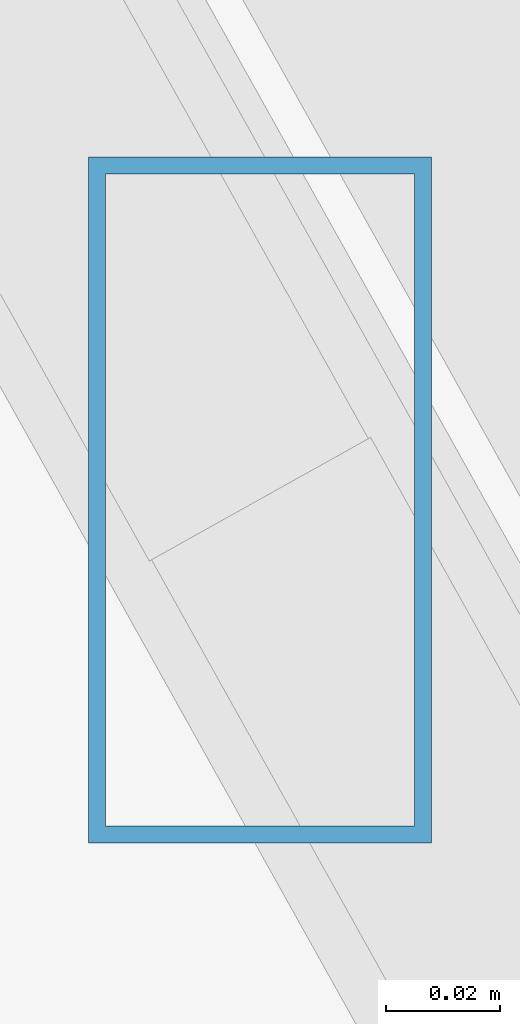
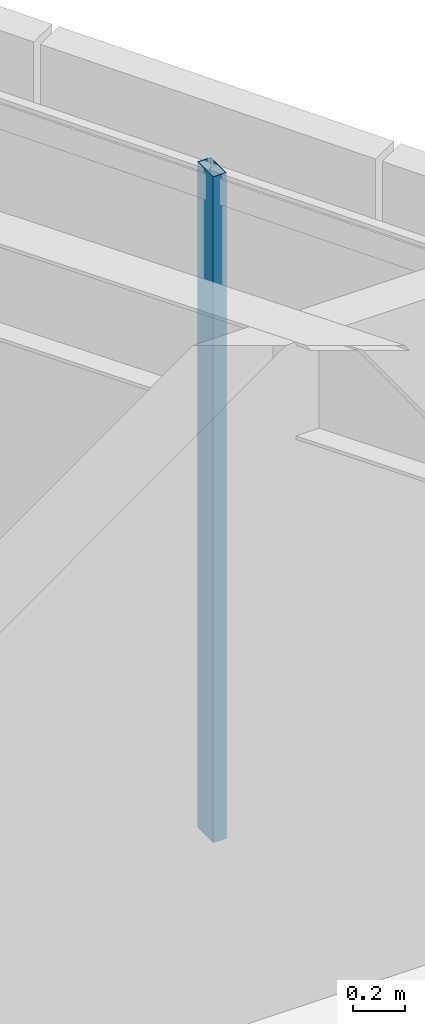
# One storey, part 27 of 48: 1 member, 1 element without a shape of its own.
"""IFC4 building model written with IfcOpenShell, lengths in metres."""

from ifc_helpers import new_model, si_unit, direction, frame, origin, origin_2d, place, context, subcontext, project, spatial, hollow_rectangle, extrude, source, transform, mapped, material, material_profile, profile_set, type_object, type_shapes, element, aggregate, save


model = new_model("IFC4")

# Units and contexts
model_context = context("Model", 3, precision=1e-05, world=origin(), true_north=direction((0.0, 1.0)))
body_context = subcontext(model_context, "Body", "Model", "MODEL_VIEW")
ifc_project = project(units=[si_unit("LENGTHUNIT", "METRE"), si_unit("AREAUNIT", "SQUARE_METRE"), si_unit("VOLUMEUNIT", "CUBIC_METRE"), si_unit("PLANEANGLEUNIT", "RADIAN"), si_unit("MASSUNIT", "GRAM", prefix="KILO")], contexts=[model_context])

# Site, building, storey
site_placement = place(None, origin())
site = spatial("IfcSite", under=ifc_project, at=site_placement, CompositionType="ELEMENT")
building_placement = place(site_placement, origin())
building = spatial("IfcBuilding", under=site, at=building_placement, Name="Caelisora Broadcast Tower", CompositionType="ELEMENT")
storey_placement = place(building_placement, frame((0.0, 0.0, 300.0)))
storey = spatial("IfcBuildingStorey", under=building, at=storey_placement, Name="L79", CompositionType="ELEMENT", Elevation=300.0)

# Curtain wall, member
ifc_material_1 = material(Name="Unitised Aluminium Insulated Shadow-Box Spandrel Curtain Wall", Category="aluminium")
curtain_wall_type = type_object("IfcCurtainWallType", Name="CW-SP3", PredefinedType="NOTDEFINED", material=ifc_material_1)
curtain_wall_placement = place(storey_placement, origin())
curtain_wall = element("IfcCurtainWall", 1, at=curtain_wall_placement, inside=storey, type_object=curtain_wall_type, Name="L79 curtain wall CW-SP3", PredefinedType="NOTDEFINED")
ifc_material_2 = material(Name="Aluminium 6063-T6 Anodised Terracotta Bronze", Category="aluminium")
ifc_material_profile = material_profile(ifc_material_2, hollow_rectangle(XDim=0.06005859375, YDim=0.1201171875, WallThickness=0.0029296875, at=origin_2d()), Name="Aluminium 6063-T6 Anodised Terracotta Bronze")
ifc_profile_set = profile_set([ifc_material_profile], Name="Aluminium 6063-T6 Anodised Terracotta Bronze")
member_type = type_object("IfcMemberType", Name="CWM-04", PredefinedType="MULLION", material=ifc_profile_set)
shared_shape = source(origin(), body_context, "Body", "SweptSolid", [
    extrude(hollow_rectangle(XDim=0.06005859375, YDim=0.1201171875, WallThickness=0.0029296875, at=origin_2d()), origin(), (0.0, 0.0, 1.0), 3.14990234375),
])
type_shapes(member_type, [shared_shape])
member_placement = place(storey_placement, frame((56.437744140625, 21.09619140625, 0.0), z_axis=(0.0, 0.0, 1.0), x_axis=(1.0, 0.0, 0.0)))
member = element("IfcMember", 2, at=member_placement, type_object=member_type, Name="L79-CW-B03 mullion #1", PredefinedType="MULLION", context=body_context, shape_type="MappedRepresentation", body=[
    mapped(shared_shape, transform((0.0, 0.0, 0.0), scale=1.0)),
])
aggregate(curtain_wall, [member])

save(model, "model.ifc")
